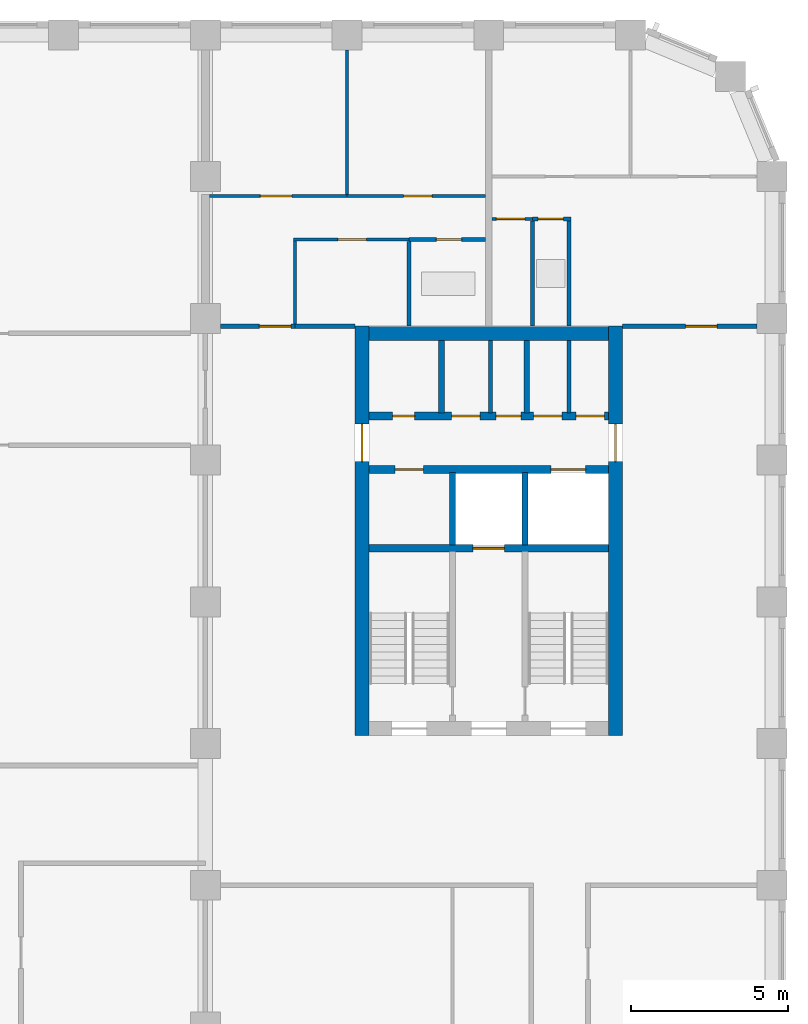
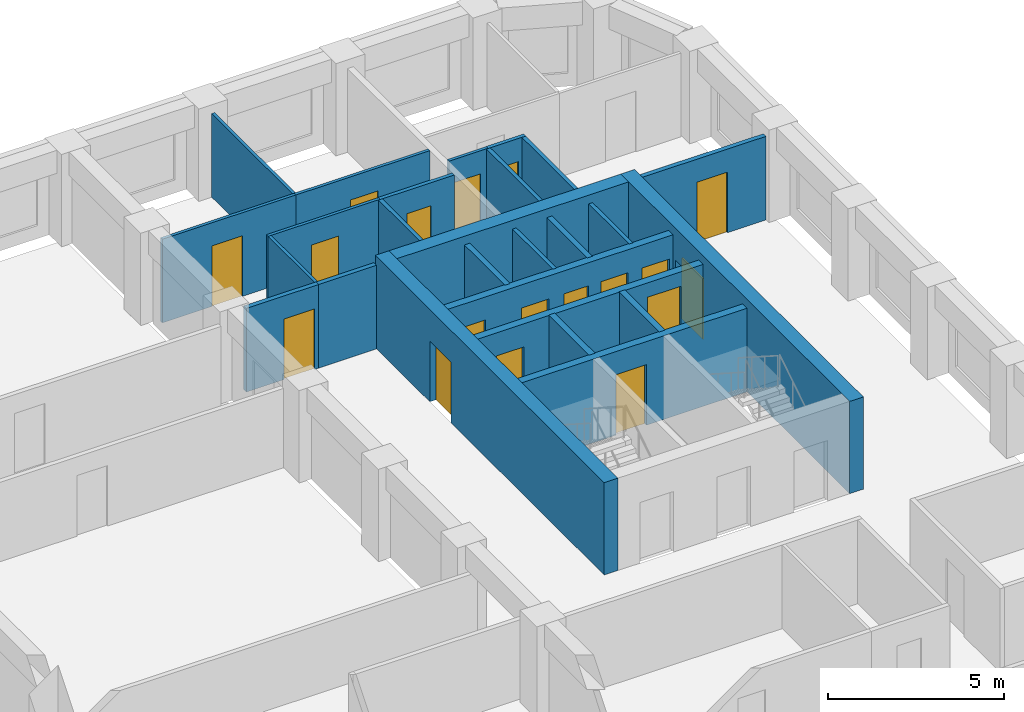
# One storey, part 8 of 12: 26 walls, 18 doors, 18 openings.
"""IFC4 building model written with IfcOpenShell, lengths in metres."""

from ifc_helpers import new_model, si_unit, direction, frame, frame_2d, origin, place, context, subcontext, project, spatial, rectangle, extrude, material, layer, layer_set, type_object, element, fill, save


model = new_model("IFC4")

# Units and contexts
model_context = context("Model", 3, precision=1e-05, world=origin(), true_north=direction((0.0, 1.0)))
body_context = subcontext(model_context, "Body", "Model", "MODEL_VIEW")
ifc_project = project(units=[si_unit("LENGTHUNIT", "METRE"), si_unit("AREAUNIT", "SQUARE_METRE"), si_unit("VOLUMEUNIT", "CUBIC_METRE"), si_unit("PLANEANGLEUNIT", "RADIAN"), si_unit("MASSUNIT", "GRAM", prefix="KILO")], contexts=[model_context])

# Site, building, storey
site_placement = place(None, origin())
site = spatial("IfcSite", under=ifc_project, at=site_placement, CompositionType="ELEMENT")
building_placement = place(site_placement, origin())
building = spatial("IfcBuilding", under=site, at=building_placement, Name="Girih Gate Residences", CompositionType="ELEMENT")
storey_placement = place(building_placement, frame((0.0, 0.0, 139.800048828125)))
storey = spatial("IfcBuildingStorey", under=building, at=storey_placement, Name="L39", CompositionType="ELEMENT", Elevation=139.800048828125)

# Wall, opening, door
ifc_material_1 = material(Name="Gypsum board on steel studs", Category="steel")
ifc_layer_1 = layer(ifc_material_1, 0.14990234375)
ifc_layer_set_1 = layer_set([ifc_layer_1], Name="Compartment wall 150 mm")
wall_type_1 = type_object("IfcWallType", Name="Compartment wall 150 mm", PredefinedType="PARTITIONING", material=ifc_layer_set_1)
wall_1_placement = place(storey_placement, frame((44.75, 40.25, 0.0), z_axis=(0.0, 0.0, 1.0), x_axis=(1.0, 0.0, 0.0)))
wall_1 = element("IfcWall", 1, at=wall_1_placement, inside=storey, type_object=wall_type_1, Name="L39 partition", PredefinedType="PARTITIONING", context=body_context, shape_type="SweptSolid", body=[
    extrude(rectangle(XDim=4.27490234375, YDim=0.14990234375, at=frame_2d((2.137451171875, 0.0))), origin(), (0.0, 0.0, 1.0), 2.89990234375),
])
opening_1_placement = place(wall_1_placement, frame((2.0, 0.0, 0.0)))
opening_1 = element("IfcOpeningElement", 2, at=opening_1_placement, cuts=wall_1, Name="Opening A39-032", PredefinedType="OPENING", context=body_context, shape_type="SweptSolid", body=[
    extrude(rectangle(XDim=1.0, YDim=2.10009765625, at=frame_2d((0.5, 1.050048828125))), frame((0.0, 0.0849609375, 0.0), z_axis=(0.0, -1.0, 0.0), x_axis=(1.0, 0.0, 0.0)), (0.0, 0.0, 1.0), 0.169921875),
])
ifc_material_2 = material(Name="Timber, fire-rated core", Category="wood")
door_type_1 = type_object("IfcDoorType", Name="Flat entrance door 1000x2100 FD30S", OperationType="NOTDEFINED", PredefinedType="DOOR", material=ifc_material_2)
door_1_placement = place(opening_1_placement, origin())
door_1 = element("IfcDoor", 3, at=door_1_placement, inside=storey, type_object=door_type_1, Name="Door A39-032", OperationType="SINGLE_SWING_RIGHT", OverallHeight=2.10009765625, OverallWidth=1.0, PredefinedType="DOOR", context=body_context, shape_type="SweptSolid", body=[
    extrude(rectangle(XDim=1.0, YDim=2.10009765625, at=frame_2d((0.5, 1.050048828125))), frame((0.0, 0.02490234375, 0.0), z_axis=(0.0, -1.0, 0.0), x_axis=(1.0, 0.0, 0.0)), (0.0, 0.0, 1.0), 0.050048828125),
])
fill(opening_1, door_1)

wall_2_placement = place(storey_placement, frame((31.97509765625, 40.25, 0.0), z_axis=(0.0, 0.0, 1.0), x_axis=(1.0, 0.0, 0.0)))
wall_2 = element("IfcWall", 4, at=wall_2_placement, inside=storey, type_object=wall_type_1, Name="L39 partition", PredefinedType="PARTITIONING", context=body_context, shape_type="SweptSolid", body=[
    extrude(rectangle(XDim=2.375, YDim=0.14990234375, at=frame_2d((1.1875, 0.0))), origin(), (0.0, 0.0, 1.0), 2.89990234375),
])
opening_2_placement = place(wall_2_placement, frame((1.2451171875, 0.0, 0.0)))
opening_2 = element("IfcOpeningElement", 5, at=opening_2_placement, cuts=wall_2, Name="Opening A39-037", PredefinedType="OPENING", context=body_context, shape_type="SweptSolid", body=[
    extrude(rectangle(XDim=1.0, YDim=2.10009765625, at=frame_2d((0.5, 1.050048828125))), frame((0.0, 0.0849609375, 0.0), z_axis=(0.0, -1.0, 0.0), x_axis=(1.0, 0.0, 0.0)), (0.0, 0.0, 1.0), 0.169921875),
])
door_2_placement = place(opening_2_placement, origin())
door_2 = element("IfcDoor", 6, at=door_2_placement, inside=storey, type_object=door_type_1, Name="Door A39-037", OperationType="SINGLE_SWING_RIGHT", OverallHeight=2.10009765625, OverallWidth=1.0, PredefinedType="DOOR", context=body_context, shape_type="SweptSolid", body=[
    extrude(rectangle(XDim=1.0, YDim=2.10009765625, at=frame_2d((0.5, 1.050048828125))), frame((0.0, 0.02490234375, 0.0), z_axis=(0.0, -1.0, 0.0), x_axis=(1.0, 0.0, 0.0)), (0.0, 0.0, 1.0), 0.050048828125),
])
fill(opening_2, door_2)

# Walls
wall_3_placement = place(storey_placement, frame((34.35009765625, 40.25, 0.0), z_axis=(0.0, 0.0, 1.0), x_axis=(1.0, 0.0, 0.0)))
element("IfcWall", 7, at=wall_3_placement, inside=storey, type_object=wall_type_1, Name="L39 partition", PredefinedType="PARTITIONING", context=body_context, shape_type="SweptSolid", body=[
    extrude(rectangle(XDim=1.89990234375, YDim=0.14990234375, at=frame_2d((0.949951171875, 0.0))), origin(), (0.0, 0.0, 1.0), 2.89990234375),
])
ifc_material_3 = material(Name="Concrete C60/75", Category="concrete")
ifc_layer_2 = layer(ifc_material_3, 0.449951171875)
ifc_layer_set_2 = layer_set([ifc_layer_2], Name="Core wall RC 450 Concrete C60/75")
wall_type_2 = type_object("IfcWallType", Name="Core wall RC 450 Concrete C60/75", PredefinedType="SOLIDWALL", material=ifc_layer_set_2)
wall_4_placement = place(storey_placement, frame((36.699951171875, 40.02490234375, 0.0), z_axis=(0.0, 0.0, 1.0), x_axis=(1.0, 0.0, 0.0)))
element("IfcWall", 8, at=wall_4_placement, inside=storey, type_object=wall_type_2, Name="Core wall E-N L39", PredefinedType="SOLIDWALL", context=body_context, shape_type="SweptSolid", body=[
    extrude(rectangle(XDim=7.60009765625, YDim=0.449951171875, at=frame_2d((3.800048828125, 0.0))), origin(), (0.0, 0.0, 1.0), 3.199951171875),
])

# Wall, opening, door
wall_5_placement = place(storey_placement, frame((36.47509765625, 27.25, 0.0), z_axis=(0.0, 0.0, 1.0), x_axis=(0.0, 1.0, 0.0)))
wall_5 = element("IfcWall", 9, at=wall_5_placement, inside=storey, type_object=wall_type_2, Name="Core wall E-W L39", PredefinedType="SOLIDWALL", context=body_context, shape_type="SweptSolid", body=[
    extrude(rectangle(XDim=13.0, YDim=0.449951171875, at=frame_2d((6.5, 0.0))), origin(), (0.0, 0.0, 1.0), 3.199951171875),
])
opening_3_placement = place(wall_5_placement, frame((8.699951171875, 0.0, 0.0)))
opening_3 = element("IfcOpeningElement", 10, at=opening_3_placement, cuts=wall_5, Name="Opening D-L39-E-014", PredefinedType="OPENING", context=body_context, shape_type="SweptSolid", body=[
    extrude(rectangle(XDim=1.199951171875, YDim=2.10009765625, at=frame_2d((0.60009765625, 1.050048828125))), frame((0.0, 0.23486328125, 0.0), z_axis=(0.0, -1.0, 0.0), x_axis=(1.0, 0.0, 0.0)), (0.0, 0.0, 1.0), 0.469970703125),
])
ifc_material_4 = material(Name="Painted steel, fire-resisting", Category="steel")
door_type_2 = type_object("IfcDoorType", Name="Fire door 1200x2100", OperationType="SINGLE_SWING_LEFT", PredefinedType="DOOR", material=ifc_material_4)
door_3_placement = place(opening_3_placement, origin())
door_3 = element("IfcDoor", 11, at=door_3_placement, inside=storey, type_object=door_type_2, Name="L39 E core door ll-w", OperationType="SINGLE_SWING_LEFT", OverallHeight=2.10009765625, OverallWidth=1.199951171875, PredefinedType="DOOR", context=body_context, shape_type="SweptSolid", body=[
    extrude(rectangle(XDim=1.199951171875, YDim=2.10009765625, at=frame_2d((0.60009765625, 1.050048828125))), frame((0.0, 0.02490234375, 0.0), z_axis=(0.0, -1.0, 0.0), x_axis=(1.0, 0.0, 0.0)), (0.0, 0.0, 1.0), 0.050048828125),
])
fill(opening_3, door_3)

wall_6_placement = place(storey_placement, frame((44.52490234375, 27.25, 0.0), z_axis=(0.0, 0.0, 1.0), x_axis=(0.0, 1.0, 0.0)))
wall_6 = element("IfcWall", 12, at=wall_6_placement, inside=storey, type_object=wall_type_2, Name="Core wall E-E L39", PredefinedType="SOLIDWALL", context=body_context, shape_type="SweptSolid", body=[
    extrude(rectangle(XDim=13.0, YDim=0.449951171875, at=frame_2d((6.5, 0.0))), origin(), (0.0, 0.0, 1.0), 3.199951171875),
])
opening_4_placement = place(wall_6_placement, frame((8.699951171875, 0.0, 0.0)))
opening_4 = element("IfcOpeningElement", 13, at=opening_4_placement, cuts=wall_6, Name="Opening D-L39-E-015", PredefinedType="OPENING", context=body_context, shape_type="SweptSolid", body=[
    extrude(rectangle(XDim=1.199951171875, YDim=2.10009765625, at=frame_2d((0.60009765625, 1.050048828125))), frame((0.0, 0.23486328125, 0.0), z_axis=(0.0, -1.0, 0.0), x_axis=(1.0, 0.0, 0.0)), (0.0, 0.0, 1.0), 0.469970703125),
])
door_4_placement = place(opening_4_placement, origin())
door_4 = element("IfcDoor", 14, at=door_4_placement, inside=storey, type_object=door_type_2, Name="L39 E core door ll-e", OperationType="SINGLE_SWING_LEFT", OverallHeight=2.10009765625, OverallWidth=1.199951171875, PredefinedType="DOOR", context=body_context, shape_type="SweptSolid", body=[
    extrude(rectangle(XDim=1.199951171875, YDim=2.10009765625, at=frame_2d((0.60009765625, 1.050048828125))), frame((0.0, 0.02490234375, 0.0), z_axis=(0.0, -1.0, 0.0), x_axis=(1.0, 0.0, 0.0)), (0.0, 0.0, 1.0), 0.050048828125),
])
fill(opening_4, door_4)

ifc_material_5 = material(Name="Concrete C40/50", Category="concrete")
ifc_layer_3 = layer(ifc_material_5, 0.25)
ifc_layer_set_3 = layer_set([ifc_layer_3], Name="Lift shaft wall 250")
wall_type_3 = type_object("IfcWallType", Name="Lift shaft wall 250", PredefinedType="SOLIDWALL", material=ifc_layer_set_3)
wall_7_placement = place(storey_placement, frame((36.699951171875, 33.199951171875, 0.0), z_axis=(0.0, 0.0, 1.0), x_axis=(1.0, 0.0, 0.0)))
wall_7 = element("IfcWall", 15, at=wall_7_placement, inside=storey, type_object=wall_type_3, Name="L39 E core wall H1", PredefinedType="SOLIDWALL", context=body_context, shape_type="SweptSolid", body=[
    extrude(rectangle(XDim=7.60009765625, YDim=0.25, at=frame_2d((3.800048828125, 0.0))), origin(), (0.0, 0.0, 1.0), 2.89990234375),
])
opening_5_placement = place(wall_7_placement, frame((3.300048828125, 0.0, 0.0)))
opening_5 = element("IfcOpeningElement", 16, at=opening_5_placement, cuts=wall_7, Name="Opening D-L39-E-004", PredefinedType="OPENING", context=body_context, shape_type="SweptSolid", body=[
    extrude(rectangle(XDim=1.0, YDim=2.10009765625, at=frame_2d((0.5, 1.050048828125))), frame((0.0, 0.135009765625, 0.0), z_axis=(0.0, -1.0, 0.0), x_axis=(1.0, 0.0, 0.0)), (0.0, 0.0, 1.0), 0.27001953125),
])
ifc_material_6 = material(Name="Stainless steel, fire-resisting", Category="steel")
door_type_3 = type_object("IfcDoorType", Name="Firefighting lift landing door 1000x2100", OperationType="SLIDING_TO_LEFT", PredefinedType="DOOR", material=ifc_material_6)
door_5_placement = place(opening_5_placement, origin())
door_5 = element("IfcDoor", 17, at=door_5_placement, inside=storey, type_object=door_type_3, Name="L39 lift FF-E landing door", OperationType="SLIDING_TO_LEFT", OverallHeight=2.10009765625, OverallWidth=1.0, PredefinedType="DOOR", context=body_context, shape_type="SweptSolid", body=[
    extrude(rectangle(XDim=1.0, YDim=2.10009765625, at=frame_2d((0.5, 1.050048828125))), frame((0.0, 0.02490234375, 0.0), z_axis=(0.0, -1.0, 0.0), x_axis=(1.0, 0.0, 0.0)), (0.0, 0.0, 1.0), 0.050048828125),
])
fill(opening_5, door_5)

# Wall, openings, doors
wall_8_placement = place(storey_placement, frame((36.699951171875, 35.699951171875, 0.0), z_axis=(0.0, 0.0, 1.0), x_axis=(1.0, 0.0, 0.0)))
wall_8 = element("IfcWall", 18, at=wall_8_placement, inside=storey, type_object=wall_type_3, Name="L39 E core wall H2", PredefinedType="SOLIDWALL", context=body_context, shape_type="SweptSolid", body=[
    extrude(rectangle(XDim=7.60009765625, YDim=0.25, at=frame_2d((3.800048828125, 0.0))), origin(), (0.0, 0.0, 1.0), 2.89990234375),
])
opening_6_placement = place(wall_8_placement, frame((5.77490234375, 0.0, 0.0)))
opening_6 = element("IfcOpeningElement", 19, at=opening_6_placement, cuts=wall_8, Name="Opening D-L39-E-003", PredefinedType="OPENING", context=body_context, shape_type="SweptSolid", body=[
    extrude(rectangle(XDim=1.10009765625, YDim=2.39990234375, at=frame_2d((0.550048828125, 1.199951171875))), frame((0.0, 0.135009765625, 0.0), z_axis=(0.0, -1.0, 0.0), x_axis=(1.0, 0.0, 0.0)), (0.0, 0.0, 1.0), 0.27001953125),
])
opening_7_placement = place(wall_8_placement, frame((0.824951171875, 0.0, 0.0)))
opening_7 = element("IfcOpeningElement", 20, at=opening_7_placement, cuts=wall_8, Name="Opening D-L39-E-006", PredefinedType="OPENING", context=body_context, shape_type="SweptSolid", body=[
    extrude(rectangle(XDim=0.89990234375, YDim=2.10009765625, at=frame_2d((0.449951171875, 1.050048828125))), frame((0.0, 0.135009765625, 0.0), z_axis=(0.0, -1.0, 0.0), x_axis=(1.0, 0.0, 0.0)), (0.0, 0.0, 1.0), 0.27001953125),
])
door_type_4 = type_object("IfcDoorType", Name="Fire door 900x2100", OperationType="SINGLE_SWING_LEFT", PredefinedType="DOOR", material=ifc_material_4)
door_6_placement = place(opening_7_placement, origin())
door_6 = element("IfcDoor", 21, at=door_6_placement, inside=storey, type_object=door_type_4, Name="L39 E housekeeping store door", OperationType="SINGLE_SWING_LEFT", OverallHeight=2.10009765625, OverallWidth=0.89990234375, PredefinedType="DOOR", context=body_context, shape_type="SweptSolid", body=[
    extrude(rectangle(XDim=0.89990234375, YDim=2.10009765625, at=frame_2d((0.449951171875, 1.050048828125))), frame((0.0, 0.02490234375, 0.0), z_axis=(0.0, -1.0, 0.0), x_axis=(1.0, 0.0, 0.0)), (0.0, 0.0, 1.0), 0.050048828125),
])
fill(opening_7, door_6)
ifc_material_7 = material(Name="Stainless steel", Category="steel")
door_type_5 = type_object("IfcDoorType", Name="Lift landing door 1100x2400", OperationType="SLIDING_TO_LEFT", PredefinedType="DOOR", material=ifc_material_7)
door_7_placement = place(opening_6_placement, origin())
door_7 = element("IfcDoor", 22, at=door_7_placement, inside=storey, type_object=door_type_5, Name="L39 lift HR-E1 landing door", OperationType="SLIDING_TO_LEFT", OverallHeight=2.39990234375, OverallWidth=1.10009765625, PredefinedType="DOOR", context=body_context, shape_type="SweptSolid", body=[
    extrude(rectangle(XDim=1.10009765625, YDim=2.39990234375, at=frame_2d((0.550048828125, 1.199951171875))), frame((0.0, 0.02490234375, 0.0), z_axis=(0.0, -1.0, 0.0), x_axis=(1.0, 0.0, 0.0)), (0.0, 0.0, 1.0), 0.050048828125),
])
fill(opening_6, door_7)

wall_9_placement = place(storey_placement, frame((36.699951171875, 37.39990234375, 0.0), z_axis=(0.0, 0.0, 1.0), x_axis=(1.0, 0.0, 0.0)))
wall_9 = element("IfcWall", 23, at=wall_9_placement, inside=storey, type_object=wall_type_3, Name="L39 E core wall H3", PredefinedType="SOLIDWALL", context=body_context, shape_type="SweptSolid", body=[
    extrude(rectangle(XDim=7.60009765625, YDim=0.25, at=frame_2d((3.800048828125, 0.0))), origin(), (0.0, 0.0, 1.0), 2.89990234375),
])
opening_8_placement = place(wall_9_placement, frame((0.75, 0.0, 0.0)))
opening_8 = element("IfcOpeningElement", 24, at=opening_8_placement, cuts=wall_9, Name="Opening D-L39-E-005", PredefinedType="OPENING", context=body_context, shape_type="SweptSolid", body=[
    extrude(rectangle(XDim=0.699951171875, YDim=2.10009765625, at=frame_2d((0.35009765625, 1.050048828125))), frame((0.0, 0.135009765625, 0.0), z_axis=(0.0, -1.0, 0.0), x_axis=(1.0, 0.0, 0.0)), (0.0, 0.0, 1.0), 0.27001953125),
])
opening_9_placement = place(wall_9_placement, frame((6.574951171875, 0.0, 0.0)))
opening_9 = element("IfcOpeningElement", 25, at=opening_9_placement, cuts=wall_9, Name="Opening D-L39-E-007", PredefinedType="OPENING", context=body_context, shape_type="SweptSolid", body=[
    extrude(rectangle(XDim=0.89990234375, YDim=2.10009765625, at=frame_2d((0.449951171875, 1.050048828125))), frame((0.0, 0.135009765625, 0.0), z_axis=(0.0, -1.0, 0.0), x_axis=(1.0, 0.0, 0.0)), (0.0, 0.0, 1.0), 0.27001953125),
])
opening_10_placement = place(wall_9_placement, frame((5.22509765625, 0.0, 0.0)))
opening_10 = element("IfcOpeningElement", 26, at=opening_10_placement, cuts=wall_9, Name="Opening D-L39-E-008", PredefinedType="OPENING", context=body_context, shape_type="SweptSolid", body=[
    extrude(rectangle(XDim=0.89990234375, YDim=2.10009765625, at=frame_2d((0.449951171875, 1.050048828125))), frame((0.0, 0.135009765625, 0.0), z_axis=(0.0, -1.0, 0.0), x_axis=(1.0, 0.0, 0.0)), (0.0, 0.0, 1.0), 0.27001953125),
])
opening_11_placement = place(wall_9_placement, frame((4.02490234375, 0.0, 0.0)))
opening_11 = element("IfcOpeningElement", 27, at=opening_11_placement, cuts=wall_9, Name="Opening D-L39-E-009", PredefinedType="OPENING", context=body_context, shape_type="SweptSolid", body=[
    extrude(rectangle(XDim=0.800048828125, YDim=2.10009765625, at=frame_2d((0.39990234375, 1.050048828125))), frame((0.0, 0.135009765625, 0.0), z_axis=(0.0, -1.0, 0.0), x_axis=(1.0, 0.0, 0.0)), (0.0, 0.0, 1.0), 0.27001953125),
])
opening_12_placement = place(wall_9_placement, frame((2.625, 0.0, 0.0)))
opening_12 = element("IfcOpeningElement", 28, at=opening_12_placement, cuts=wall_9, Name="Opening D-L39-E-010", PredefinedType="OPENING", context=body_context, shape_type="SweptSolid", body=[
    extrude(rectangle(XDim=0.89990234375, YDim=2.10009765625, at=frame_2d((0.449951171875, 1.050048828125))), frame((0.0, 0.135009765625, 0.0), z_axis=(0.0, -1.0, 0.0), x_axis=(1.0, 0.0, 0.0)), (0.0, 0.0, 1.0), 0.27001953125),
])
door_type_6 = type_object("IfcDoorType", Name="Fire door 800x2100", OperationType="SINGLE_SWING_LEFT", PredefinedType="DOOR", material=ifc_material_4)
door_8_placement = place(opening_11_placement, origin())
door_8 = element("IfcDoor", 29, at=door_8_placement, inside=storey, type_object=door_type_6, Name="L39 E riser room door", OperationType="SINGLE_SWING_LEFT", OverallHeight=2.10009765625, OverallWidth=0.800048828125, PredefinedType="DOOR", context=body_context, shape_type="SweptSolid", body=[
    extrude(rectangle(XDim=0.800048828125, YDim=2.10009765625, at=frame_2d((0.39990234375, 1.050048828125))), frame((0.0, 0.02490234375, 0.0), z_axis=(0.0, -1.0, 0.0), x_axis=(1.0, 0.0, 0.0)), (0.0, 0.0, 1.0), 0.050048828125),
])
fill(opening_11, door_8)
door_9_placement = place(opening_9_placement, origin())
door_9 = element("IfcDoor", 30, at=door_9_placement, inside=storey, type_object=door_type_4, Name="L39 E it room door", OperationType="SINGLE_SWING_LEFT", OverallHeight=2.10009765625, OverallWidth=0.89990234375, PredefinedType="DOOR", context=body_context, shape_type="SweptSolid", body=[
    extrude(rectangle(XDim=0.89990234375, YDim=2.10009765625, at=frame_2d((0.449951171875, 1.050048828125))), frame((0.0, 0.02490234375, 0.0), z_axis=(0.0, -1.0, 0.0), x_axis=(1.0, 0.0, 0.0)), (0.0, 0.0, 1.0), 0.050048828125),
])
fill(opening_9, door_9)
door_10_placement = place(opening_10_placement, origin())
door_10 = element("IfcDoor", 31, at=door_10_placement, inside=storey, type_object=door_type_4, Name="L39 E maintenance store door", OperationType="SINGLE_SWING_LEFT", OverallHeight=2.10009765625, OverallWidth=0.89990234375, PredefinedType="DOOR", context=body_context, shape_type="SweptSolid", body=[
    extrude(rectangle(XDim=0.89990234375, YDim=2.10009765625, at=frame_2d((0.449951171875, 1.050048828125))), frame((0.0, 0.02490234375, 0.0), z_axis=(0.0, -1.0, 0.0), x_axis=(1.0, 0.0, 0.0)), (0.0, 0.0, 1.0), 0.050048828125),
])
fill(opening_10, door_10)
door_11_placement = place(opening_12_placement, origin())
door_11 = element("IfcDoor", 32, at=door_11_placement, inside=storey, type_object=door_type_4, Name="L39 E linen store door", OperationType="SINGLE_SWING_LEFT", OverallHeight=2.10009765625, OverallWidth=0.89990234375, PredefinedType="DOOR", context=body_context, shape_type="SweptSolid", body=[
    extrude(rectangle(XDim=0.89990234375, YDim=2.10009765625, at=frame_2d((0.449951171875, 1.050048828125))), frame((0.0, 0.02490234375, 0.0), z_axis=(0.0, -1.0, 0.0), x_axis=(1.0, 0.0, 0.0)), (0.0, 0.0, 1.0), 0.050048828125),
])
fill(opening_12, door_11)
door_type_7 = type_object("IfcDoorType", Name="Riser access door 700x2100", OperationType="SINGLE_SWING_LEFT", PredefinedType="DOOR", material=ifc_material_4)
door_12_placement = place(opening_8_placement, origin())
door_12 = element("IfcDoor", 33, at=door_12_placement, inside=storey, type_object=door_type_7, Name="L39 E riser room door", OperationType="SINGLE_SWING_LEFT", OverallHeight=2.10009765625, OverallWidth=0.699951171875, PredefinedType="DOOR", context=body_context, shape_type="SweptSolid", body=[
    extrude(rectangle(XDim=0.699951171875, YDim=2.10009765625, at=frame_2d((0.35009765625, 1.050048828125))), frame((0.0, 0.02490234375, 0.0), z_axis=(0.0, -1.0, 0.0), x_axis=(1.0, 0.0, 0.0)), (0.0, 0.0, 1.0), 0.050048828125),
])
fill(opening_8, door_12)

# Wall, opening, door
ifc_layer_4 = layer(ifc_material_1, 0.10009765625)
ifc_layer_set_4 = layer_set([ifc_layer_4], Name="Partition 100 mm")
wall_type_4 = type_object("IfcWallType", Name="Partition 100 mm", PredefinedType="PARTITIONING", material=ifc_layer_set_4)
wall_10_placement = place(storey_placement, frame((41.890869140625, 43.659912109375, 0.0), z_axis=(0.0, 0.0, 1.0), x_axis=(-1.0, 0.0, 0.0)))
wall_10 = element("IfcWall", 34, at=wall_10_placement, inside=storey, type_object=wall_type_4, Name="L39 partition", PredefinedType="PARTITIONING", context=body_context, shape_type="SweptSolid", body=[
    extrude(rectangle(XDim=1.290771484375, YDim=0.10009765625, at=frame_2d((0.6455078125, 0.0))), origin(), (0.0, 0.0, 1.0), 2.89990234375),
])
opening_13_placement = place(wall_10_placement, frame((0.24560546875, 0.0, 0.0)))
opening_13 = element("IfcOpeningElement", 35, at=opening_13_placement, cuts=wall_10, Name="Opening A39-030", PredefinedType="OPENING", context=body_context, shape_type="SweptSolid", body=[
    extrude(rectangle(XDim=0.89990234375, YDim=2.10009765625, at=frame_2d((0.449951171875, 1.050048828125))), frame((0.0, 0.06005859375, 0.0), z_axis=(0.0, -1.0, 0.0), x_axis=(1.0, 0.0, 0.0)), (0.0, 0.0, 1.0), 0.1201171875),
])
ifc_material_8 = material(Name="Timber", Category="wood")
door_type_8 = type_object("IfcDoorType", Name="Kitchen door 900x2100", OperationType="NOTDEFINED", PredefinedType="DOOR", material=ifc_material_8)
door_13_placement = place(opening_13_placement, origin())
door_13 = element("IfcDoor", 36, at=door_13_placement, inside=storey, type_object=door_type_8, Name="Door A39-030", OperationType="SINGLE_SWING_RIGHT", OverallHeight=2.10009765625, OverallWidth=0.89990234375, PredefinedType="DOOR", context=body_context, shape_type="SweptSolid", body=[
    extrude(rectangle(XDim=0.89990234375, YDim=2.10009765625, at=frame_2d((0.449951171875, 1.050048828125))), frame((0.0, 0.02490234375, 0.0), z_axis=(0.0, -1.0, 0.0), x_axis=(1.0, 0.0, 0.0)), (0.0, 0.0, 1.0), 0.050048828125),
])
fill(opening_13, door_13)

wall_11_placement = place(storey_placement, frame((36.0, 44.385009765625, 0.0), z_axis=(0.0, 0.0, 1.0), x_axis=(1.0, 0.0, 0.0)))
wall_11 = element("IfcWall", 37, at=wall_11_placement, inside=storey, type_object=wall_type_4, Name="L39 partition", PredefinedType="PARTITIONING", context=body_context, shape_type="SweptSolid", body=[
    extrude(rectangle(XDim=4.39990234375, YDim=0.10009765625, at=frame_2d((2.199951171875, 0.0))), origin(), (0.0, 0.0, 1.0), 2.89990234375),
])
opening_14_placement = place(wall_11_placement, frame((1.800048828125, 0.0, 0.0)))
opening_14 = element("IfcOpeningElement", 38, at=opening_14_placement, cuts=wall_11, Name="Opening A39-034", PredefinedType="OPENING", context=body_context, shape_type="SweptSolid", body=[
    extrude(rectangle(XDim=0.89990234375, YDim=2.10009765625, at=frame_2d((0.449951171875, 1.050048828125))), frame((0.0, 0.06005859375, 0.0), z_axis=(0.0, -1.0, 0.0), x_axis=(1.0, 0.0, 0.0)), (0.0, 0.0, 1.0), 0.1201171875),
])
door_type_9 = type_object("IfcDoorType", Name="Bedroom door 900x2100", OperationType="NOTDEFINED", PredefinedType="DOOR", material=ifc_material_8)
door_14_placement = place(opening_14_placement, origin())
door_14 = element("IfcDoor", 39, at=door_14_placement, inside=storey, type_object=door_type_9, Name="Door A39-034", OperationType="SINGLE_SWING_RIGHT", OverallHeight=2.10009765625, OverallWidth=0.89990234375, PredefinedType="DOOR", context=body_context, shape_type="SweptSolid", body=[
    extrude(rectangle(XDim=0.89990234375, YDim=2.10009765625, at=frame_2d((0.449951171875, 1.050048828125))), frame((0.0, 0.02490234375, 0.0), z_axis=(0.0, -1.0, 0.0), x_axis=(1.0, 0.0, 0.0)), (0.0, 0.0, 1.0), 0.050048828125),
])
fill(opening_14, door_14)

# Wall
wall_12_placement = place(storey_placement, frame((36.0, 44.43505859375, 0.0), z_axis=(0.0, 0.0, 1.0), x_axis=(0.0, 1.0, 0.0)))
element("IfcWall", 40, at=wall_12_placement, inside=storey, type_object=wall_type_4, Name="L39 partition", PredefinedType="PARTITIONING", context=body_context, shape_type="SweptSolid", body=[
    extrude(rectangle(XDim=4.58984375, YDim=0.10009765625, at=frame_2d((2.294921875, 0.0))), origin(), (0.0, 0.0, 1.0), 2.89990234375),
])

# Wall, opening, door
wall_13_placement = place(storey_placement, frame((37.97265625, 43.0048828125, 0.0), z_axis=(0.0, 0.0, 1.0), x_axis=(-1.0, 0.0, 0.0)))
wall_13 = element("IfcWall", 41, at=wall_13_placement, inside=storey, type_object=wall_type_4, Name="L39 partition", PredefinedType="PARTITIONING", context=body_context, shape_type="SweptSolid", body=[
    extrude(rectangle(XDim=3.672607421875, YDim=0.10009765625, at=frame_2d((1.83642578125, 0.0))), origin(), (0.0, 0.0, 1.0), 2.89990234375),
])
opening_15_placement = place(wall_13_placement, frame((1.361328125, 0.0, 0.0)))
opening_15 = element("IfcOpeningElement", 42, at=opening_15_placement, cuts=wall_13, Name="Opening A39-035", PredefinedType="OPENING", context=body_context, shape_type="SweptSolid", body=[
    extrude(rectangle(XDim=0.89990234375, YDim=2.10009765625, at=frame_2d((0.449951171875, 1.050048828125))), frame((0.0, 0.06005859375, 0.0), z_axis=(0.0, -1.0, 0.0), x_axis=(1.0, 0.0, 0.0)), (0.0, 0.0, 1.0), 0.1201171875),
])
door_15_placement = place(opening_15_placement, origin())
door_15 = element("IfcDoor", 43, at=door_15_placement, inside=storey, type_object=door_type_8, Name="Door A39-035", OperationType="SINGLE_SWING_LEFT", OverallHeight=2.10009765625, OverallWidth=0.89990234375, PredefinedType="DOOR", context=body_context, shape_type="SweptSolid", body=[
    extrude(rectangle(XDim=0.89990234375, YDim=2.10009765625, at=frame_2d((0.449951171875, 1.050048828125))), frame((0.0, 0.02490234375, 0.0), z_axis=(0.0, -1.0, 0.0), x_axis=(1.0, 0.0, 0.0)), (0.0, 0.0, 1.0), 0.050048828125),
])
fill(opening_15, door_15)

# Wall
wall_14_placement = place(storey_placement, frame((34.35009765625, 40.324951171875, 0.0), z_axis=(0.0, 0.0, 1.0), x_axis=(0.0, 1.0, 0.0)))
element("IfcWall", 44, at=wall_14_placement, inside=storey, type_object=wall_type_4, Name="L39 partition", PredefinedType="PARTITIONING", context=body_context, shape_type="SweptSolid", body=[
    extrude(rectangle(XDim=2.630126953125, YDim=0.10009765625, at=frame_2d((1.31494140625, 0.0))), origin(), (0.0, 0.0, 1.0), 2.89990234375),
])

# Wall, opening, door
wall_15_placement = place(storey_placement, frame((31.625, 44.385009765625, 0.0), z_axis=(0.0, 0.0, 1.0), x_axis=(1.0, 0.0, 0.0)))
wall_15 = element("IfcWall", 45, at=wall_15_placement, inside=storey, type_object=wall_type_4, Name="L39 partition", PredefinedType="PARTITIONING", context=body_context, shape_type="SweptSolid", body=[
    extrude(rectangle(XDim=4.375, YDim=0.10009765625, at=frame_2d((2.1875, 0.0))), origin(), (0.0, 0.0, 1.0), 2.89990234375),
])
opening_16_placement = place(wall_15_placement, frame((1.625, 0.0, 0.0)))
opening_16 = element("IfcOpeningElement", 46, at=opening_16_placement, cuts=wall_15, Name="Opening A39-036", PredefinedType="OPENING", context=body_context, shape_type="SweptSolid", body=[
    extrude(rectangle(XDim=1.0, YDim=2.10009765625, at=frame_2d((0.5, 1.050048828125))), frame((0.0, 0.06005859375, 0.0), z_axis=(0.0, -1.0, 0.0), x_axis=(1.0, 0.0, 0.0)), (0.0, 0.0, 1.0), 0.1201171875),
])
door_type_10 = type_object("IfcDoorType", Name="Living room door 1000x2100", OperationType="NOTDEFINED", PredefinedType="DOOR", material=ifc_material_8)
door_16_placement = place(opening_16_placement, origin())
door_16 = element("IfcDoor", 47, at=door_16_placement, inside=storey, type_object=door_type_10, Name="Door A39-036", OperationType="SINGLE_SWING_LEFT", OverallHeight=2.10009765625, OverallWidth=1.0, PredefinedType="DOOR", context=body_context, shape_type="SweptSolid", body=[
    extrude(rectangle(XDim=1.0, YDim=2.10009765625, at=frame_2d((0.5, 1.050048828125))), frame((0.0, 0.02490234375, 0.0), z_axis=(0.0, -1.0, 0.0), x_axis=(1.0, 0.0, 0.0)), (0.0, 0.0, 1.0), 0.050048828125),
])
fill(opening_16, door_16)

# Walls
ifc_layer_5 = layer(ifc_material_5, 0.175048828125)
ifc_layer_set_5 = layer_set([ifc_layer_5], Name="Riser shaft wall 175")
wall_type_5 = type_object("IfcWallType", Name="Riser shaft wall 175", PredefinedType="SOLIDWALL", material=ifc_layer_set_5)
for number, where, z_axis, x_axis, name in (
    (48, (41.699951171875, 37.5, 0.0), (0.0, 0.0, 1.0), (0.0, 1.0, 0.0), "L39 E core wall V1c"),
    (49, (39.0, 37.5, 0.0), (0.0, 0.0, 1.0), (0.0, 1.0, 0.0), "L39 E core wall V2c"),
):
    element("IfcWall", number, at=place(storey_placement, frame(where, z_axis=z_axis, x_axis=x_axis)), inside=storey, type_object=wall_type_5, Name=name, PredefinedType="SOLIDWALL", context=body_context, shape_type="SweptSolid", body=[
        extrude(rectangle(XDim=2.300048828125, YDim=0.175048828125, at=frame_2d((1.14990234375, 0.0))), origin(), (0.0, 0.0, 1.0), 2.89990234375),
    ])
ifc_layer_6 = layer(ifc_material_5, 0.199951171875)
ifc_layer_set_6 = layer_set([ifc_layer_6], Name="Shaft wall 200")
wall_type_6 = type_object("IfcWallType", Name="Shaft wall 200", PredefinedType="SOLIDWALL", material=ifc_layer_set_6)
for number, where, z_axis, x_axis, name in (
    (50, (41.64990234375, 33.300048828125, 0.0), (0.0, 0.0, 1.0), (0.0, 1.0, 0.0), "L39 E core wall V1b"),
    (51, (39.35009765625, 33.300048828125, 0.0), (0.0, 0.0, 1.0), (0.0, 1.0, 0.0), "L39 E core wall V2b"),
):
    element("IfcWall", number, at=place(storey_placement, frame(where, z_axis=z_axis, x_axis=x_axis)), inside=storey, type_object=wall_type_6, Name=name, PredefinedType="SOLIDWALL", context=body_context, shape_type="SweptSolid", body=[
        extrude(rectangle(XDim=2.300048828125, YDim=0.199951171875, at=frame_2d((1.14990234375, 0.0))), origin(), (0.0, 0.0, 1.0), 2.89990234375),
    ])
ifc_material_9 = material(Name="Calcium silicate blockwork", Category="masonry")
ifc_layer_7 = layer(ifc_material_9, 0.125)
ifc_layer_set_7 = layer_set([ifc_layer_7], Name="Store partition 125")
wall_type_7 = type_object("IfcWallType", Name="Store partition 125", PredefinedType="PARTITIONING", material=ifc_layer_set_7)
for number, where, z_axis, x_axis, name in (
    (52, (43.050048828125, 37.5, 0.0), (0.0, 0.0, 1.0), (0.0, 1.0, 0.0), "L39 E core wall SLR1"),
    (53, (40.550048828125, 37.5, 0.0), (0.0, 0.0, 1.0), (0.0, 1.0, 0.0), "L39 E core wall SLR2"),
):
    element("IfcWall", number, at=place(storey_placement, frame(where, z_axis=z_axis, x_axis=x_axis)), inside=storey, type_object=wall_type_7, Name=name, PredefinedType="PARTITIONING", context=body_context, shape_type="SweptSolid", body=[
        extrude(rectangle(XDim=2.300048828125, YDim=0.125, at=frame_2d((1.14990234375, 0.0))), origin(), (0.0, 0.0, 1.0), 2.89990234375),
    ])

# Wall, opening, door
ifc_layer_8 = layer(ifc_material_1, 0.125)
ifc_layer_set_8 = layer_set([ifc_layer_8], Name="Wet room wall 125 mm")
wall_type_8 = type_object("IfcWallType", Name="Wet room wall 125 mm", PredefinedType="PARTITIONING", material=ifc_layer_set_8)
wall_16_placement = place(storey_placement, frame((43.112548828125, 43.659912109375, 0.0), z_axis=(0.0, 0.0, 1.0), x_axis=(-1.0, 0.0, 0.0)))
wall_16 = element("IfcWall", 54, at=wall_16_placement, inside=storey, type_object=wall_type_8, Name="L39 partition", PredefinedType="PARTITIONING", context=body_context, shape_type="SweptSolid", body=[
    extrude(rectangle(XDim=1.2216796875, YDim=0.125, at=frame_2d((0.61083984375, 0.0))), origin(), (0.0, 0.0, 1.0), 2.89990234375),
])
opening_17_placement = place(wall_16_placement, frame((0.241943359375, 0.0, 0.0)))
opening_17 = element("IfcOpeningElement", 55, at=opening_17_placement, cuts=wall_16, Name="Opening A39-028", PredefinedType="OPENING", context=body_context, shape_type="SweptSolid", body=[
    extrude(rectangle(XDim=0.800048828125, YDim=2.10009765625, at=frame_2d((0.39990234375, 1.050048828125))), frame((0.0, 0.072509765625, 0.0), z_axis=(0.0, -1.0, 0.0), x_axis=(1.0, 0.0, 0.0)), (0.0, 0.0, 1.0), 0.14501953125),
])
door_type_11 = type_object("IfcDoorType", Name="Bathroom door 800x2100", OperationType="NOTDEFINED", PredefinedType="DOOR", material=ifc_material_8)
door_17_placement = place(opening_17_placement, origin())
door_17 = element("IfcDoor", 56, at=door_17_placement, inside=storey, type_object=door_type_11, Name="Door A39-028", OperationType="SINGLE_SWING_RIGHT", OverallHeight=2.10009765625, OverallWidth=0.800048828125, PredefinedType="DOOR", context=body_context, shape_type="SweptSolid", body=[
    extrude(rectangle(XDim=0.800048828125, YDim=2.10009765625, at=frame_2d((0.39990234375, 1.050048828125))), frame((0.0, 0.02490234375, 0.0), z_axis=(0.0, -1.0, 0.0), x_axis=(1.0, 0.0, 0.0)), (0.0, 0.0, 1.0), 0.050048828125),
])
fill(opening_17, door_17)

# Walls
for number, where, z_axis, x_axis, name in (
    (57, (43.050048828125, 40.25, 0.0), (0.0, 0.0, 1.0), (0.0, 1.0, 0.0), "L39 partition"),
    (58, (41.89111328125, 40.25, 0.0), (0.0, 0.0, 1.0), (0.0, 1.0, 0.0), "L39 partition"),
):
    element("IfcWall", number, at=place(storey_placement, frame(where, z_axis=z_axis, x_axis=x_axis)), inside=storey, type_object=wall_type_8, Name=name, PredefinedType="PARTITIONING", context=body_context, shape_type="SweptSolid", body=[
        extrude(rectangle(XDim=3.347412109375, YDim=0.125, at=frame_2d((1.673828125, 0.0))), origin(), (0.0, 0.0, 1.0), 2.89990234375),
    ])

# Wall, opening, door
wall_17_placement = place(storey_placement, frame((40.39990234375, 43.0048828125, 0.0), z_axis=(0.0, 0.0, 1.0), x_axis=(-1.0, 0.0, 0.0)))
wall_17 = element("IfcWall", 59, at=wall_17_placement, inside=storey, type_object=wall_type_8, Name="L39 partition", PredefinedType="PARTITIONING", context=body_context, shape_type="SweptSolid", body=[
    extrude(rectangle(XDim=2.42724609375, YDim=0.125, at=frame_2d((1.213623046875, 0.0))), origin(), (0.0, 0.0, 1.0), 2.89990234375),
])
opening_18_placement = place(wall_17_placement, frame((0.763671875, 0.0, 0.0)))
opening_18 = element("IfcOpeningElement", 60, at=opening_18_placement, cuts=wall_17, Name="Opening A39-033", PredefinedType="OPENING", context=body_context, shape_type="SweptSolid", body=[
    extrude(rectangle(XDim=0.800048828125, YDim=2.10009765625, at=frame_2d((0.39990234375, 1.050048828125))), frame((0.0, 0.072509765625, 0.0), z_axis=(0.0, -1.0, 0.0), x_axis=(1.0, 0.0, 0.0)), (0.0, 0.0, 1.0), 0.14501953125),
])
door_18_placement = place(opening_18_placement, origin())
door_18 = element("IfcDoor", 61, at=door_18_placement, inside=storey, type_object=door_type_11, Name="Door A39-033", OperationType="SINGLE_SWING_LEFT", OverallHeight=2.10009765625, OverallWidth=0.800048828125, PredefinedType="DOOR", context=body_context, shape_type="SweptSolid", body=[
    extrude(rectangle(XDim=0.800048828125, YDim=2.10009765625, at=frame_2d((0.39990234375, 1.050048828125))), frame((0.0, 0.02490234375, 0.0), z_axis=(0.0, -1.0, 0.0), x_axis=(1.0, 0.0, 0.0)), (0.0, 0.0, 1.0), 0.050048828125),
])
fill(opening_18, door_18)

# Wall
wall_18_placement = place(storey_placement, frame((37.972900390625, 40.25, 0.0), z_axis=(0.0, 0.0, 1.0), x_axis=(0.0, 1.0, 0.0)))
element("IfcWall", 62, at=wall_18_placement, inside=storey, type_object=wall_type_8, Name="L39 partition", PredefinedType="PARTITIONING", context=body_context, shape_type="SweptSolid", body=[
    extrude(rectangle(XDim=2.6923828125, YDim=0.125, at=frame_2d((1.34619140625, 0.0))), origin(), (0.0, 0.0, 1.0), 2.89990234375),
])

save(model, "model.ifc")
